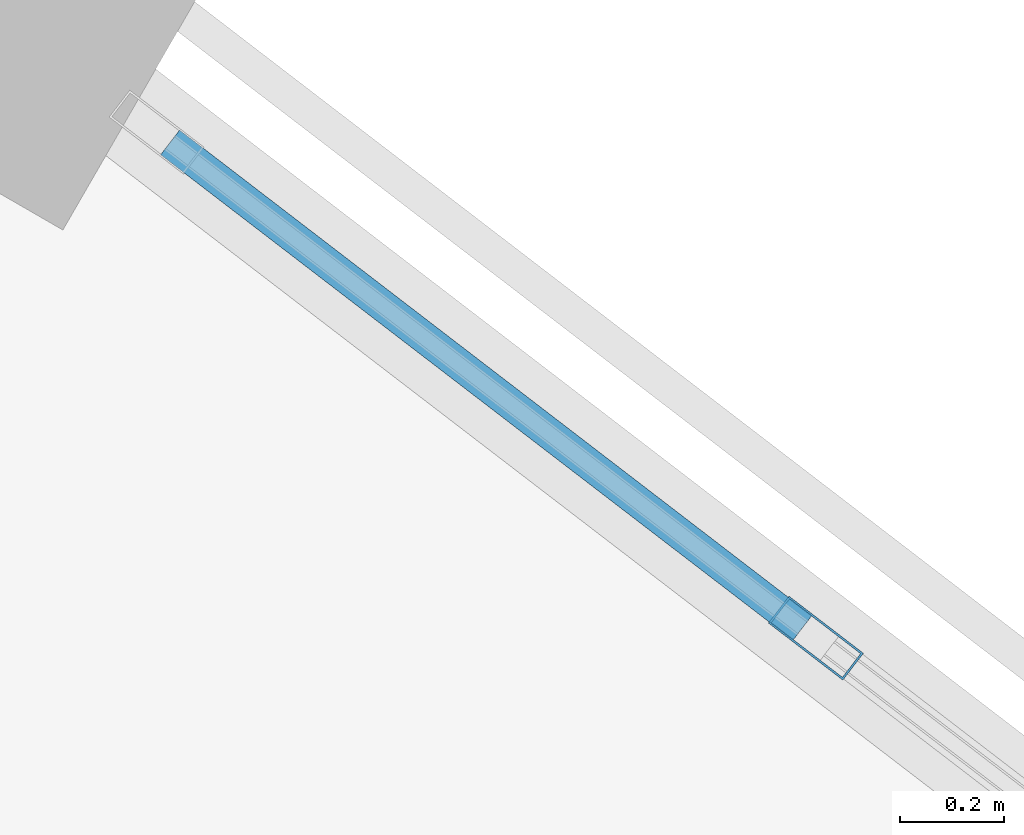
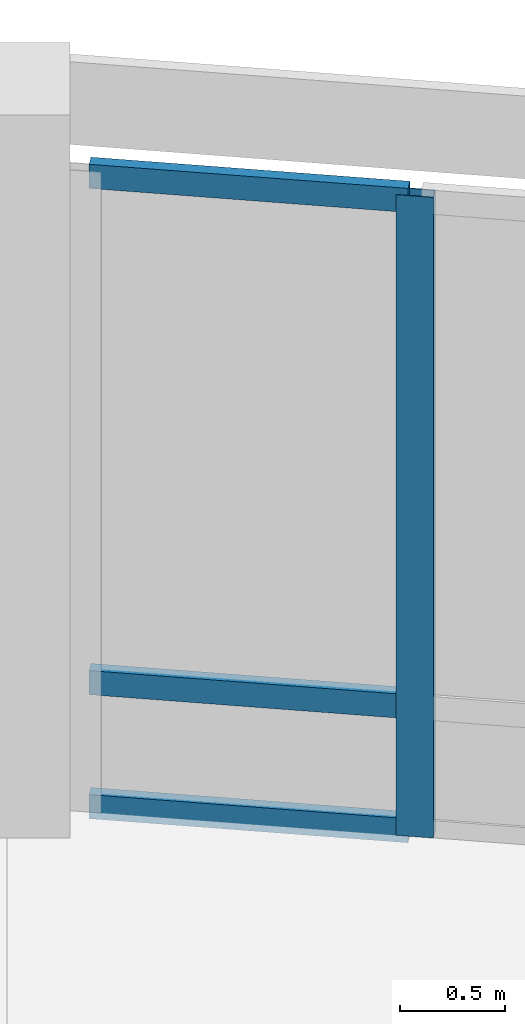
# One storey, part 93 of 185: 4 members, 1 element without a shape of its own.
"""IFC4 building model written with IfcOpenShell, lengths in metres."""

from ifc_helpers import new_model, si_unit, direction, frame, origin, origin_2d, place, context, subcontext, project, spatial, hollow_rectangle, extrude, material, material_profile, profile_set, type_object, element, aggregate, save


model = new_model("IFC4")

# Units and contexts
model_context = context("Model", 3, precision=1e-05, world=origin(), true_north=direction((0.0, 1.0)))
body_context = subcontext(model_context, "Body", "Model", "MODEL_VIEW")
ifc_project = project(units=[si_unit("LENGTHUNIT", "METRE"), si_unit("AREAUNIT", "SQUARE_METRE"), si_unit("VOLUMEUNIT", "CUBIC_METRE"), si_unit("PLANEANGLEUNIT", "RADIAN"), si_unit("MASSUNIT", "GRAM", prefix="KILO")], contexts=[model_context])

# Site, building, storey
site_placement = place(None, origin())
site = spatial("IfcSite", under=ifc_project, at=site_placement, CompositionType="ELEMENT")
building_placement = place(site_placement, origin())
building = spatial("IfcBuilding", under=site, at=building_placement, Name="Vondelvale Polytechnic", CompositionType="ELEMENT")
storey_placement = place(building_placement, frame((0.0, 0.0, 9.60009765625)))
storey = spatial("IfcBuildingStorey", under=building, at=storey_placement, Name="L02", CompositionType="ELEMENT", Elevation=9.60009765625)

# Curtain wall, members
ifc_material_1 = material(Name="Glulam GL18 structural Tasmanian oak (fb = 42 MPa)", Category="wood")
curtain_wall_type = type_object("IfcCurtainWallType", Name="CW-RING-OUTER", PredefinedType="NOTDEFINED", material=ifc_material_1)
curtain_wall_placement = place(storey_placement, origin())
curtain_wall = element("IfcCurtainWall", 1, at=curtain_wall_placement, inside=storey, type_object=curtain_wall_type, Name="L02 architectural curtain wall CW-04-107", PredefinedType="NOTDEFINED")
ifc_material_2 = material(Name="Anodised extruded aluminium 6063-T6", Category="aluminium")
ifc_material_profile_1 = material_profile(ifc_material_2, hollow_rectangle(XDim=0.06494140625, YDim=0.179931640625, WallThickness=0.00390625, at=origin_2d()), Name="CW-MUL-180x65")
ifc_profile_set_1 = profile_set([ifc_material_profile_1], Name="Anodised extruded aluminium 6063-T6")
member_type_1 = type_object("IfcMemberType", Name="CW-MUL-65x180", PredefinedType="MULLION", material=ifc_profile_set_1)
member_1_placement = place(storey_placement, frame((126.55517578125, 110.643798828125, 0.0), z_axis=(0.0, 0.0, 1.0), x_axis=(-0.608786860133, -0.793333825656, 0.0)))
member_1 = element("IfcMember", 2, at=member_1_placement, type_object=member_type_1, Name="CW-04-107 mullion 2", PredefinedType="MULLION", context=body_context, shape_type="SweptSolid", body=[
    extrude(hollow_rectangle(XDim=0.06494140625, YDim=0.179931640625, WallThickness=0.00390625, at=origin_2d()), origin(), (0.0, 0.0, 1.0), 3.719970703125),
])
ifc_material_profile_2 = material_profile(ifc_material_2, hollow_rectangle(XDim=0.06005859375, YDim=0.139892578125, WallThickness=0.00341796875, at=origin_2d()), Name="CW-TRN-140x60")
ifc_profile_set_2 = profile_set([ifc_material_profile_2], Name="Anodised extruded aluminium 6063-T6")
member_type_2 = type_object("IfcMemberType", Name="CW-TRN-60x140", PredefinedType="USERDEFINED", material=ifc_profile_set_2)
member_2_placement = place(storey_placement, frame((126.529296875, 110.66357421875, 0.02978515625), z_axis=(-0.7932286645, 0.608923875222, 0.0), x_axis=(-0.608923875222, -0.7932286645, 0.0)))
member_2 = element("IfcMember", 3, at=member_2_placement, type_object=member_type_2, Name="CW-04-107 transom 2.1", ObjectType="TRANSOM", PredefinedType="USERDEFINED", context=body_context, shape_type="SweptSolid", body=[
    extrude(hollow_rectangle(XDim=0.06005859375, YDim=0.139892578125, WallThickness=0.00341796875, at=origin_2d()), origin(), (0.0, 0.0, 1.0), 1.530029296875),
])
member_3_placement = place(storey_placement, frame((126.529296875, 110.66357421875, 0.75), z_axis=(-0.7932286645, 0.608923875222, 0.0), x_axis=(-0.608923875222, -0.7932286645, 0.0)))
member_3 = element("IfcMember", 4, at=member_3_placement, type_object=member_type_2, Name="CW-04-107 transom 2.2", ObjectType="TRANSOM", PredefinedType="USERDEFINED", context=body_context, shape_type="SweptSolid", body=[
    extrude(hollow_rectangle(XDim=0.06005859375, YDim=0.139892578125, WallThickness=0.00341796875, at=origin_2d()), origin(), (0.0, 0.0, 1.0), 1.530029296875),
])
member_4_placement = place(storey_placement, frame((126.529296875, 110.66357421875, 3.68994140625), z_axis=(-0.7932286645, 0.608923875222, 0.0), x_axis=(-0.608923875222, -0.7932286645, 0.0)))
member_4 = element("IfcMember", 5, at=member_4_placement, type_object=member_type_2, Name="CW-04-107 transom 2.3", ObjectType="TRANSOM", PredefinedType="USERDEFINED", context=body_context, shape_type="SweptSolid", body=[
    extrude(hollow_rectangle(XDim=0.06005859375, YDim=0.139892578125, WallThickness=0.00341796875, at=origin_2d()), origin(), (0.0, 0.0, 1.0), 1.530029296875),
])
aggregate(curtain_wall, [member_1, member_2, member_3, member_4])

save(model, "model.ifc")
